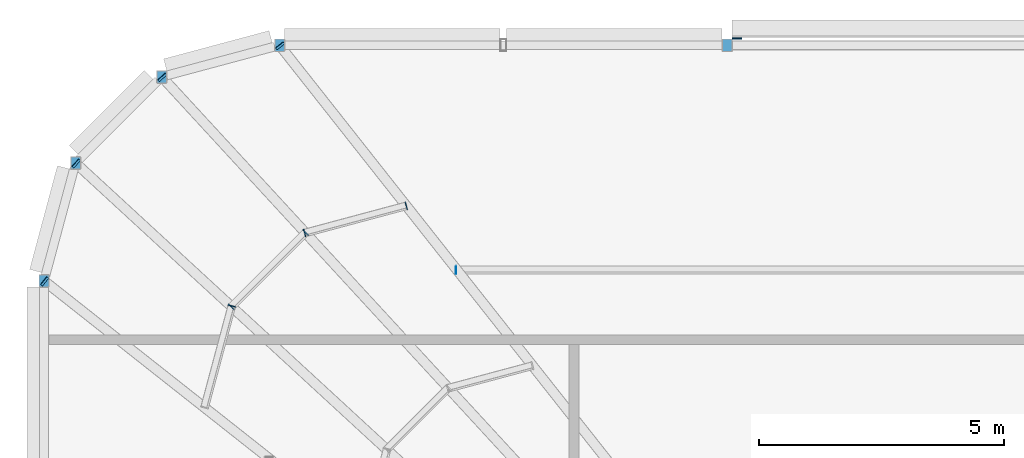
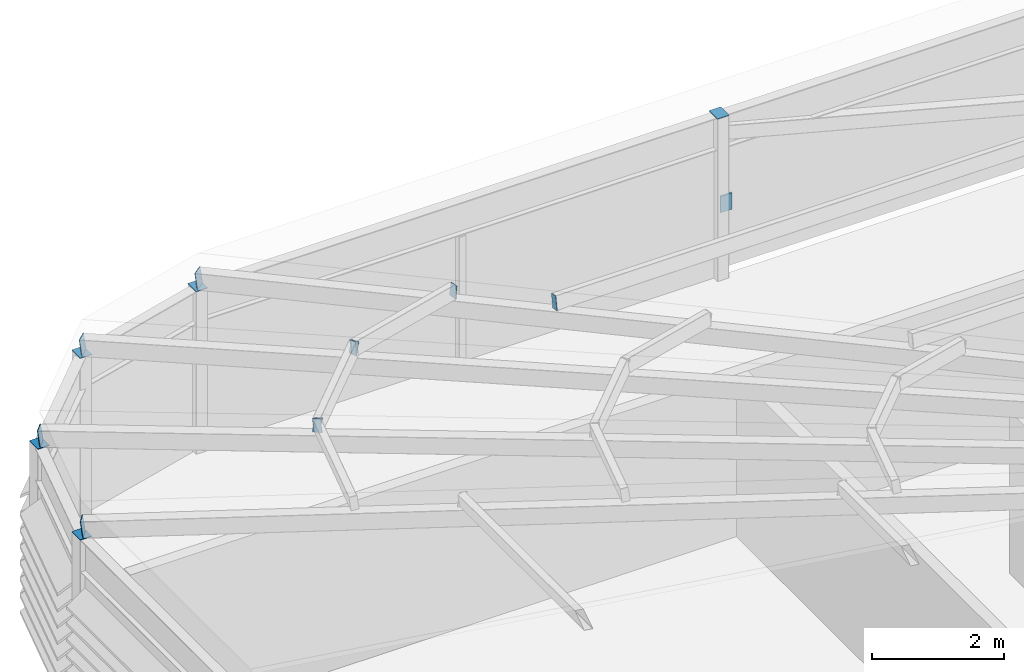
# One storey, part 37 of 46: 16 discrete accessories.
"""IFC4 building model written with IfcOpenShell, lengths in metres."""

import ifcopenshell
import ifcopenshell.guid

model = None  # the IFC model being written
_history = None  # IfcOwnerHistory: only IFC2X3 demands one
_inside = {}  # id of a spatial element -> (the spatial element, [elements in it])
_under = {}  # id of a project, library or spatial element -> (it, [spatial elements below it])
_declared = {}  # id of a project -> (the project, [libraries it declares])
_typed = {}  # id of a type object -> (the type object, [elements of that type])
_made_of = {}  # id of a material, layer set ... -> (it, [elements and type objects made of it])


def new_model(schema):
    """Start an empty IFC model of exactly this schema.

    Asked for "IFC4X3", IfcOpenShell would pick the latest addendum, in which some entities
    have other attributes; the version numbers below select the first issue.
    IFC2X3 requires an IfcOwnerHistory on every rooted entity: one is made here for all.
    """
    global model, _history
    if schema == "IFC4X3":
        model = ifcopenshell.file(schema_version=(4, 3, 0, 0))
    else:
        model = ifcopenshell.file(schema=schema)
    _inside.clear()
    _under.clear()
    _declared.clear()
    _typed.clear()
    _made_of.clear()
    _history = None
    if model.schema == "IFC2X3":
        org = make("IfcOrganization", Name="unknown")
        user = make(
            "IfcPersonAndOrganization",
            ThePerson=make("IfcPerson", FamilyName="unknown"),
            TheOrganization=org,
        )
        app = make(
            "IfcApplication",
            ApplicationDeveloper=org,
            Version="unknown",
            ApplicationFullName="unknown",
            ApplicationIdentifier="unknown",
        )
        _history = make(
            "IfcOwnerHistory",
            OwningUser=user,
            OwningApplication=app,
            ChangeAction="ADDED",
            CreationDate=0,
        )
    return model


def make(cls, **values):
    """One entity of the class cls with the attributes given. An attribute that is None is left unset."""
    return model.create_entity(
        cls, **{name: value for name, value in values.items() if value is not None}
    )


def rooted(cls, **values):
    """An entity with a GlobalId (a new one), such as an element, a storey or a relation."""
    return make(cls, GlobalId=ifcopenshell.guid.new(), OwnerHistory=_history, **values)


def si_unit(unit_type, name, prefix=None):
    """IfcSIUnit, for example si_unit("LENGTHUNIT", "METRE", prefix="MILLI")."""
    return make("IfcSIUnit", UnitType=unit_type, Prefix=prefix, Name=name)


def assignment(units):
    """IfcUnitAssignment: the units of a project."""
    return None if units is None else make("IfcUnitAssignment", Units=units)


def point(xyz):
    """IfcCartesianPoint."""
    return None if xyz is None else make("IfcCartesianPoint", Coordinates=xyz)


def direction(xyz):
    """IfcDirection."""
    return None if xyz is None else make("IfcDirection", DirectionRatios=xyz)


def frame(location, z_axis=None, x_axis=None):
    """IfcAxis2Placement3D, a coordinate frame: its origin and axes. An axis left out is left unset."""
    return make(
        "IfcAxis2Placement3D",
        Location=point(location),
        Axis=direction(z_axis),
        RefDirection=direction(x_axis),
    )


def frame_2d(location, x_axis=None):
    """IfcAxis2Placement2D, a coordinate frame in the plane: its origin and x axis."""
    return make(
        "IfcAxis2Placement2D", Location=point(location), RefDirection=direction(x_axis)
    )


def origin():
    """The frame at (0, 0, 0) with its axes left unset."""
    return frame((0.0, 0.0, 0.0))


def origin_2d():
    """The frame at (0, 0) in the plane with its x axis left unset."""
    return frame_2d((0.0, 0.0))


def place(relative_to, where):
    """IfcLocalPlacement: puts the frame where relative to a parent placement (None: the world)."""
    return make(
        "IfcLocalPlacement", PlacementRelTo=relative_to, RelativePlacement=where
    )


def context(
    kind, dimensions, precision=None, world=None, true_north=None, identifier=None
):
    """IfcGeometricRepresentationContext, for example the 3D "Model" context."""
    return make(
        "IfcGeometricRepresentationContext",
        ContextIdentifier=identifier,
        ContextType=kind,
        CoordinateSpaceDimension=dimensions,
        Precision=precision,
        WorldCoordinateSystem=world,
        TrueNorth=true_north,
    )


def subcontext(parent, identifier, kind, view, scale=None):
    """IfcGeometricRepresentationSubContext, for example "Body" below "Model"."""
    return make(
        "IfcGeometricRepresentationSubContext",
        ContextIdentifier=identifier,
        ContextType=kind,
        ParentContext=parent,
        TargetScale=scale,
        TargetView=view,
    )


def project(units=None, contexts=None):
    """IfcProject with its units and contexts."""
    return rooted(
        "IfcProject",
        Name="project",
        RepresentationContexts=contexts,
        UnitsInContext=assignment(units),
    )


def spatial(cls, under=None, at=None, **own):
    """A site, building, storey or space (cls), placed at a placement, below another one or the project."""
    s = rooted(cls, ObjectPlacement=at, **own)
    if under is not None:
        _under.setdefault(under.id(), (under, []))[1].append(s)
    return s


def profile(cls, at=None, kind="AREA", **sizes):
    """A parametric profile (cls). Its sizes go by their IFC names, for example OverallWidth=200.0."""
    return make(cls, ProfileType=kind, Position=at, **sizes)


def rectangle(**sizes):
    """IfcRectangleProfileDef."""
    return profile("IfcRectangleProfileDef", **sizes)


def extrude(swept, where, along, depth):
    """IfcExtrudedAreaSolid: the profile swept, set in the frame where, extruded along a direction by depth."""
    return make(
        "IfcExtrudedAreaSolid",
        SweptArea=swept,
        Position=where,
        ExtrudedDirection=direction(along),
        Depth=depth,
    )


def shape(context_of_items, identifier, shape_type, items):
    """IfcShapeRepresentation: the items that make up one representation, for example the "Body"."""
    return make(
        "IfcShapeRepresentation",
        ContextOfItems=context_of_items,
        RepresentationIdentifier=identifier,
        RepresentationType=shape_type,
        Items=items,
    )


def material(Name=None, Category=None):
    """IfcMaterial."""
    return make("IfcMaterial", Name=Name, Category=Category)


def made_of(thing, what):
    """Note that an element or type object is made of a material, layer set ...; save() writes the relation."""
    if what is not None:
        _made_of.setdefault(what.id(), (what, []))[1].append(thing)
    return thing


def type_object(cls, material=None, **own):
    """A type object (cls), such as IfcWallType, which elements share."""
    return made_of(rooted(cls, **own), material)


def element(
    cls,
    number,
    at=None,
    inside=None,
    cuts=None,
    type_object=None,
    material=None,
    context=None,
    identifier="Body",
    shape_type=None,
    held_by="IfcProductDefinitionShape",
    body=None,
    shapes=None,
    **own,
):
    """One element of the class cls, such as IfcWall. Its Tag is "e" and its number.

    at: its placement. inside: the storey or other place that contains it. cuts: it is an
    opening in that element (IfcRelVoidsElement). A single representation is given by context,
    identifier, shape_type and body (its items); several are given by shapes. held_by: the class
    of the entity that holds the representations. save() writes the other relations.
    """
    e = rooted(cls, Tag="e%d" % number, ObjectPlacement=at, **own)
    if body is not None:
        shapes = [shape(context, identifier, shape_type, body)]
    if shapes is not None:
        e.Representation = make(held_by, Representations=shapes)
    if inside is not None:
        _inside.setdefault(inside.id(), (inside, []))[1].append(e)
    if cuts is not None:
        rooted(
            "IfcRelVoidsElement", RelatingBuildingElement=cuts, RelatedOpeningElement=e
        )
    if type_object is not None:
        _typed.setdefault(type_object.id(), (type_object, []))[1].append(e)
    return made_of(e, material)


def aggregate(whole, parts):
    """IfcRelAggregates: a whole, such as a stair, and the parts it consists of."""
    return rooted("IfcRelAggregates", RelatingObject=whole, RelatedObjects=parts)


def save(model, path):
    """Write the relations noted so far, then the file.

    IfcRelAggregates (storeys below a building ...), IfcRelContainedInSpatialStructure (elements
    in a storey), IfcRelDefinesByType, IfcRelAssociatesMaterial and IfcRelDeclares: one each for
    every whole, place, type object, material and project.
    """
    for whole, parts in _under.values():
        aggregate(whole, parts)
    for where, things in _inside.values():
        rooted(
            "IfcRelContainedInSpatialStructure",
            RelatedElements=things,
            RelatingStructure=where,
        )
    for kind, things in _typed.values():
        rooted("IfcRelDefinesByType", RelatedObjects=things, RelatingType=kind)
    for what, things in _made_of.values():
        rooted("IfcRelAssociatesMaterial", RelatedObjects=things, RelatingMaterial=what)
    for by, libraries in _declared.values():
        rooted("IfcRelDeclares", RelatingContext=by, RelatedDefinitions=libraries)
    model.write(path)


model = new_model("IFC4")

# Units and contexts
model_context = context("Model", 3, precision=1e-05, world=origin(), true_north=direction((0.0, 1.0)))
body_context = subcontext(model_context, "Body", "Model", "MODEL_VIEW")
ifc_project = project(units=[si_unit("LENGTHUNIT", "METRE"), si_unit("AREAUNIT", "SQUARE_METRE"), si_unit("VOLUMEUNIT", "CUBIC_METRE"), si_unit("PLANEANGLEUNIT", "RADIAN"), si_unit("MASSUNIT", "GRAM", prefix="KILO")], contexts=[model_context])

# Site, building, storey
site_placement = place(None, origin())
site = spatial("IfcSite", under=ifc_project, at=site_placement, CompositionType="ELEMENT")
building_placement = place(site_placement, origin())
building = spatial("IfcBuilding", under=site, at=building_placement, Name="Madar Terraces", CompositionType="ELEMENT")
storey_placement = place(building_placement, frame((0.0, 0.0, 317.300048828125)))
storey = spatial("IfcBuildingStorey", under=building, at=storey_placement, Name="L82", CompositionType="ELEMENT", Elevation=317.300048828125)

# Discrete accessories
ifc_material_1 = material(Name="Steel plate ASTM A36, galvanised", Category="steel")
discrete_accessory_type_1 = type_object("IfcDiscreteAccessoryType", Name="Hollow section end plate", PredefinedType="BRACKET", material=ifc_material_1)
for number, where, z_axis, x_axis, name in (
    (1, (6.012939453125, 46.78369140625, 3.149169921875), (-0.613267437123, 0.776805420356, -0.143095735329), (-0.784882765533, -0.619644288579, 0.0), "Hollow section end plate"),
    (2, (3.613525390625, 46.14208984375, 3.149169921875), (-0.668888382345, 0.729696417104, -0.141885414437), (-0.737154140201, -0.675724628517, 0.0), "Hollow section end plate"),
    (3, (1.85791015625, 44.386474609375, 3.149169921875), (-0.729696417104, 0.668888382345, -0.141885414437), (-0.675724628517, -0.737154140201, 0.0), "Hollow section end plate"),
    (4, (1.21630859375, 41.987060546875, 3.149169921875), (-0.776805420356, 0.613267437123, -0.143095735329), (-0.619644288579, -0.784882765533, 0.0), "Hollow section end plate"),
):
    element("IfcDiscreteAccessory", number, at=place(storey_placement, frame(where, z_axis=z_axis, x_axis=x_axis)), inside=storey, type_object=discrete_accessory_type_1, Name=name, PredefinedType="BRACKET", context=body_context, shape_type="SweptSolid", body=[
        extrude(rectangle(XDim=0.203125, YDim=0.3046875, at=origin_2d()), origin(), (0.0, 0.0, 1.0), 0.011962890625),
    ])
discrete_accessory_1_placement = place(storey_placement, frame((9.60009765625, 42.218017578125, 4.22900390625), z_axis=(-1.0, 0.0, 0.0), x_axis=(0.0, -0.984957023705, 0.172799483372)))
element("IfcDiscreteAccessory", 5, at=discrete_accessory_1_placement, inside=storey, type_object=discrete_accessory_type_1, Name="Hollow section end plate", PredefinedType="BRACKET", context=body_context, shape_type="SweptSolid", body=[
    extrude(rectangle(XDim=0.126953125, YDim=0.25390625, at=origin_2d()), origin(), (0.0, 0.0, 1.0), 0.01220703125),
])
for number, where, z_axis, x_axis, name in (
    (6, (8.575927734375, 43.5263671875, 3.999755859375), (0.963811120254, 0.266586054538, 0.0), (-0.264178693544, 0.95510758435, 0.13408624163), "Hollow section end plate"),
    (7, (6.518798828125, 42.97509765625, 3.999755859375), (-0.970142500145, -0.242535625036, 0.0), (0.240345447442, -0.961381789769, 0.13408624163), "Hollow section end plate"),
    (8, (6.526123046875, 42.979736328125, 3.999755859375), (0.707106781187, 0.707106781187, 0.0), (-0.700941463334, 0.700941463334, 0.131765435371), "Hollow section end plate"),
    (9, (5.020263671875, 41.473876953125, 3.999755859375), (-0.707106781187, -0.707106781187, 0.0), (0.700941463334, -0.700941463334, 0.131765435371), "Hollow section end plate"),
    (10, (5.02490234375, 41.481201171875, 3.999755859375), (0.242535625036, 0.970142500145, 0.0), (-0.961381789769, 0.240345447442, 0.13408624163), "Hollow section end plate"),
):
    element("IfcDiscreteAccessory", number, at=place(storey_placement, frame(where, z_axis=z_axis, x_axis=x_axis)), inside=storey, type_object=discrete_accessory_type_1, Name=name, PredefinedType="BRACKET", context=body_context, shape_type="SweptSolid", body=[
        extrude(rectangle(XDim=0.126953125, YDim=0.25390625, at=origin_2d()), origin(), (0.0, 0.0, 1.0), 0.011962890625),
    ])
for number, where, z_axis, x_axis, name in (
    (11, (15.1201171875, 46.800048828125, 3.0), (0.0, 0.0, 1.0), (1.0, 0.0, 0.0), "Hollow section end plate"),
    (12, (6.0, 46.800048828125, 3.0), (0.0, 0.0, 1.0), (1.0, 0.0, 0.0), "Hollow section end plate"),
    (13, (3.60009765625, 46.156982421875, 3.0), (0.0, 0.0, 1.0), (1.0, 0.0, 0.0), "Hollow section end plate"),
    (14, (1.843017578125, 44.39990234375, 3.0), (0.0, 0.0, 1.0), (1.0, 0.0, 0.0), "Hollow section end plate"),
    (15, (1.199951171875, 42.0, 3.0), (0.0, 0.0, 1.0), (1.0, 0.0, 0.0), "Hollow section end plate"),
):
    element("IfcDiscreteAccessory", number, at=place(storey_placement, frame(where, z_axis=z_axis, x_axis=x_axis)), inside=storey, type_object=discrete_accessory_type_1, Name=name, PredefinedType="BRACKET", context=body_context, shape_type="SweptSolid", body=[
        extrude(rectangle(XDim=0.203125, YDim=0.25390625, at=origin_2d()), origin(), (0.0, 0.0, 1.0), 0.011962890625),
    ])
ifc_material_2 = material(Name="Steel, galvanised", Category="steel")
discrete_accessory_type_2 = type_object("IfcDiscreteAccessoryType", Name="Louvre bank bracket", PredefinedType="BRACKET", material=ifc_material_2)
discrete_accessory_2_placement = place(storey_placement, frame((15.321533203125, 46.94189453125, 1.048828125), z_axis=(0.0, 0.0, 1.0), x_axis=(-1.0, 0.0, 0.0)))
element("IfcDiscreteAccessory", 16, at=discrete_accessory_2_placement, inside=storey, type_object=discrete_accessory_type_2, Name="Louvre bank bracket", PredefinedType="BRACKET", context=body_context, shape_type="SweptSolid", body=[
    extrude(rectangle(XDim=0.199951171875, YDim=0.030029296875, at=origin_2d()), origin(), (0.0, 0.0, 1.0), 0.300048828125),
])

save(model, "model.ifc")
